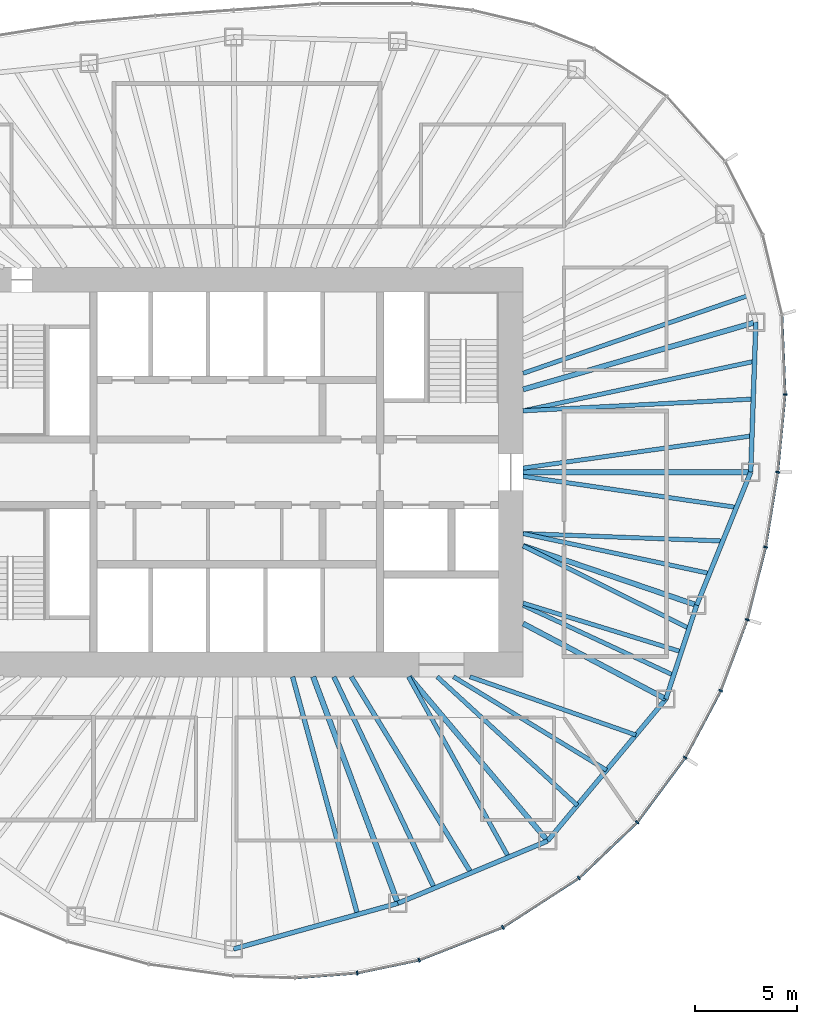
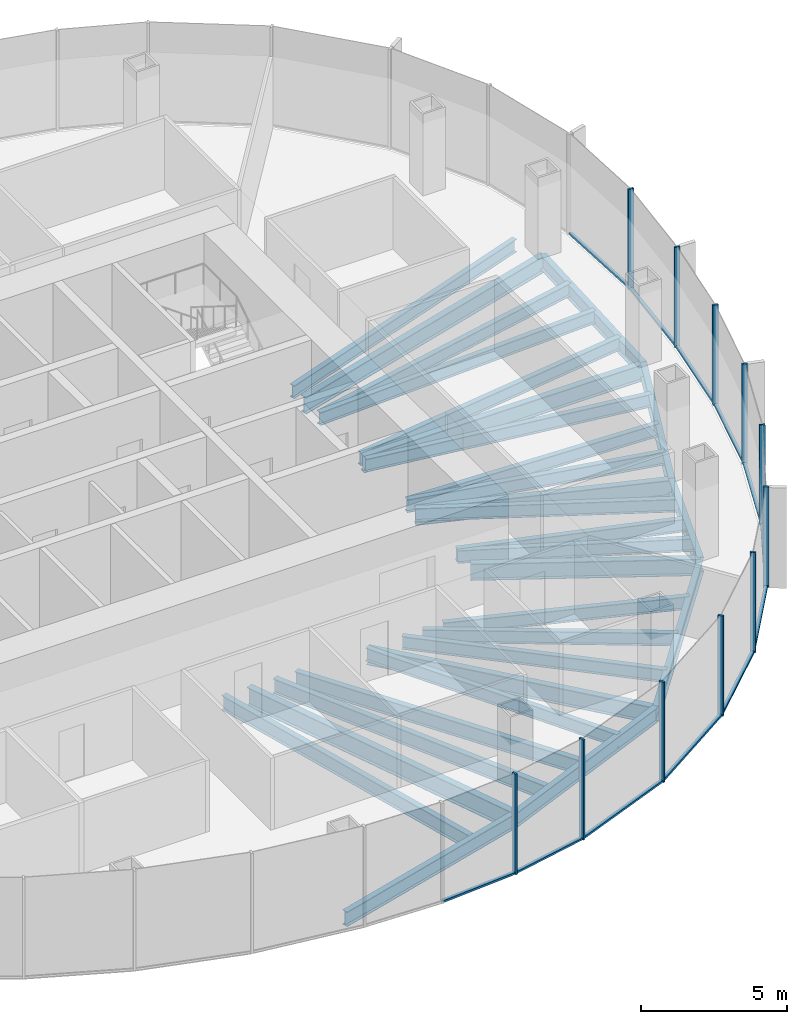
# One storey, part 4 of 11: 29 beams, 23 members, 6 elements without a shape of their own.
"""IFC4 building model written with IfcOpenShell, lengths in metres."""

from ifc_helpers import new_model, si_unit, direction, frame, origin, origin_2d, place, context, subcontext, project, spatial, rectangle, i_section, extrude, material, material_profile, profile_set, type_object, element, aggregate, save


model = new_model("IFC4")

# Units and contexts
model_context = context("Model", 3, precision=1e-05, world=origin(), true_north=direction((0.0, 1.0)))
body_context = subcontext(model_context, "Body", "Model", "MODEL_VIEW")
ifc_project = project(units=[si_unit("LENGTHUNIT", "METRE"), si_unit("AREAUNIT", "SQUARE_METRE"), si_unit("VOLUMEUNIT", "CUBIC_METRE"), si_unit("PLANEANGLEUNIT", "RADIAN"), si_unit("MASSUNIT", "GRAM", prefix="KILO")], contexts=[model_context])

# Site, building, storey
site_placement = place(None, origin())
site = spatial("IfcSite", under=ifc_project, at=site_placement, CompositionType="ELEMENT")
building_placement = place(site_placement, origin())
building = spatial("IfcBuilding", under=site, at=building_placement, Name="Ghaith Harvest Tower", CompositionType="ELEMENT")
storey_placement = place(building_placement, frame((0.0, 0.0, 262.0)))
storey = spatial("IfcBuildingStorey", under=building, at=storey_placement, Name="L58", CompositionType="ELEMENT", Elevation=262.0)

# Curtain wall, members
ifc_material_1 = material(Name="Black anodised aluminium and fritted glass", Category="aluminium")
curtain_wall_type = type_object("IfcCurtainWallType", Name="CW-H CURTAIN WALL", PredefinedType="NOTDEFINED", material=ifc_material_1)
curtain_wall_1_placement = place(storey_placement, origin())
curtain_wall_1 = element("IfcCurtainWall", 1, at=curtain_wall_1_placement, inside=storey, type_object=curtain_wall_type, Name="Curtain wall CW-H bay 01 L58", PredefinedType="NOTDEFINED")
ifc_material_2 = material(Name="Aluminium, black anodised", Category="aluminium")
ifc_material_profile_1 = material_profile(ifc_material_2, rectangle(XDim=0.080078125, YDim=0.199951171875, at=origin_2d()), Name="CW-H MULLION 80x200")
ifc_profile_set_1 = profile_set([ifc_material_profile_1], Name="Aluminium, black anodised")
member_type_1 = type_object("IfcMemberType", Name="CW-H MULLION 80x200", PredefinedType="MULLION", material=ifc_profile_set_1)
member_1_placement = place(storey_placement, frame((26.445068359375, 0.0, 0.0), z_axis=(0.0, 0.0, 1.0), x_axis=(0.126567624553, 0.991957981174, 0.0)))
member_1 = element("IfcMember", 2, at=member_1_placement, type_object=member_type_1, Name="CW-H mullion 1 bay 01 L58", PredefinedType="MULLION", context=body_context, shape_type="SweptSolid", body=[
    extrude(rectangle(XDim=0.080078125, YDim=0.199951171875, at=origin_2d()), origin(), (0.0, 0.0, 1.0), 4.199951171875),
])
member_2_placement = place(storey_placement, frame((26.804443359375, 3.7958984375, 0.0), z_axis=(0.0, 0.0, 1.0), x_axis=(0.026142797814, 0.999658218654, 0.0)))
member_2 = element("IfcMember", 3, at=member_2_placement, type_object=member_type_1, Name="CW-H mullion 2 bay 01 L58", PredefinedType="MULLION", context=body_context, shape_type="SweptSolid", body=[
    extrude(rectangle(XDim=0.080078125, YDim=0.199951171875, at=origin_2d()), origin(), (0.0, 0.0, 1.0), 4.199951171875),
])

# Curtain wall, member
curtain_wall_2_placement = place(storey_placement, origin())
curtain_wall_2 = element("IfcCurtainWall", 4, at=curtain_wall_2_placement, inside=storey, type_object=curtain_wall_type, Name="Curtain wall CW-H bay 16 L58", PredefinedType="NOTDEFINED")
member_3_placement = place(storey_placement, frame((5.893310546875, -24.48291015625, 0.0), z_axis=(0.0, 0.0, 1.0), x_axis=(0.989849191496, 0.142121701704, 0.0)))
member_3 = element("IfcMember", 5, at=member_3_placement, type_object=member_type_1, Name="CW-H mullion 3 bay 16 L58", PredefinedType="MULLION", context=body_context, shape_type="SweptSolid", body=[
    extrude(rectangle(XDim=0.080078125, YDim=0.199951171875, at=origin_2d()), origin(), (0.0, 0.0, 1.0), 4.199951171875),
])

# Curtain wall, members
curtain_wall_3_placement = place(storey_placement, origin())
curtain_wall_3 = element("IfcCurtainWall", 6, at=curtain_wall_3_placement, inside=storey, type_object=curtain_wall_type, Name="Curtain wall CW-H bay 17 L58", PredefinedType="NOTDEFINED")
member_4_placement = place(storey_placement, frame((8.916015625, -23.85009765625, 0.0), z_axis=(0.0, 0.0, 1.0), x_axis=(0.954029934434, 0.299711334793, 0.0)))
member_4 = element("IfcMember", 7, at=member_4_placement, type_object=member_type_1, Name="CW-H mullion 1 bay 17 L58", PredefinedType="MULLION", context=body_context, shape_type="SweptSolid", body=[
    extrude(rectangle(XDim=0.080078125, YDim=0.199951171875, at=origin_2d()), origin(), (0.0, 0.0, 1.0), 4.199951171875),
])
member_5_placement = place(storey_placement, frame((13.010009765625, -22.2470703125, 0.0), z_axis=(0.0, 0.0, 1.0), x_axis=(0.889568363425, 0.456802065225, 0.0)))
member_5 = element("IfcMember", 8, at=member_5_placement, type_object=member_type_1, Name="CW-H mullion 2 bay 17 L58", PredefinedType="MULLION", context=body_context, shape_type="SweptSolid", body=[
    extrude(rectangle(XDim=0.080078125, YDim=0.199951171875, at=origin_2d()), origin(), (0.0, 0.0, 1.0), 4.199951171875),
])

curtain_wall_4_placement = place(storey_placement, origin())
curtain_wall_4 = element("IfcCurtainWall", 9, at=curtain_wall_4_placement, inside=storey, type_object=curtain_wall_type, Name="Curtain wall CW-H bay 18 L58", PredefinedType="NOTDEFINED")
member_6_placement = place(storey_placement, frame((16.72900390625, -19.838134765625, 0.0), z_axis=(0.0, 0.0, 1.0), x_axis=(0.78784554071, 0.615872879727, 0.0)))
member_6 = element("IfcMember", 10, at=member_6_placement, type_object=member_type_1, Name="CW-H mullion 1 bay 18 L58", PredefinedType="MULLION", context=body_context, shape_type="SweptSolid", body=[
    extrude(rectangle(XDim=0.080078125, YDim=0.199951171875, at=origin_2d()), origin(), (0.0, 0.0, 1.0), 4.199951171875),
])
member_7_placement = place(storey_placement, frame((19.57421875, -17.11572265625, 0.0), z_axis=(0.0, 0.0, 1.0), x_axis=(0.661614965695, 0.749843741835, 0.0)))
member_7 = element("IfcMember", 11, at=member_7_placement, type_object=member_type_1, Name="CW-H mullion 2 bay 18 L58", PredefinedType="MULLION", context=body_context, shape_type="SweptSolid", body=[
    extrude(rectangle(XDim=0.080078125, YDim=0.199951171875, at=origin_2d()), origin(), (0.0, 0.0, 1.0), 4.199951171875),
])

curtain_wall_5_placement = place(storey_placement, origin())
curtain_wall_5 = element("IfcCurtainWall", 12, at=curtain_wall_5_placement, inside=storey, type_object=curtain_wall_type, Name="Curtain wall CW-H bay 19 L58", PredefinedType="NOTDEFINED")
member_8_placement = place(storey_placement, frame((21.922607421875, -13.951904296875, 0.0), z_axis=(0.0, 0.0, 1.0), x_axis=(0.535827198032, 0.844327669717, 0.0)))
member_8 = element("IfcMember", 13, at=member_8_placement, type_object=member_type_1, Name="CW-H mullion 1 bay 19 L58", PredefinedType="MULLION", context=body_context, shape_type="SweptSolid", body=[
    extrude(rectangle(XDim=0.080078125, YDim=0.199951171875, at=origin_2d()), origin(), (0.0, 0.0, 1.0), 4.199951171875),
])
member_9_placement = place(storey_placement, frame((23.658203125, -10.680419921875, 0.0), z_axis=(0.0, 0.0, 1.0), x_axis=(0.410429862351, 0.911892169114, 0.0)))
member_9 = element("IfcMember", 14, at=member_9_placement, type_object=member_type_1, Name="CW-H mullion 2 bay 19 L58", PredefinedType="MULLION", context=body_context, shape_type="SweptSolid", body=[
    extrude(rectangle(XDim=0.080078125, YDim=0.199951171875, at=origin_2d()), origin(), (0.0, 0.0, 1.0), 4.199951171875),
])

curtain_wall_6_placement = place(storey_placement, origin())
curtain_wall_6 = element("IfcCurtainWall", 15, at=curtain_wall_6_placement, inside=storey, type_object=curtain_wall_type, Name="Curtain wall CW-H bay 20 L58", PredefinedType="NOTDEFINED")
member_10_placement = place(storey_placement, frame((24.955810546875, -7.212890625, 0.0), z_axis=(0.0, 0.0, 1.0), x_axis=(0.298441625478, 0.954427889462, 0.0)))
member_10 = element("IfcMember", 16, at=member_10_placement, type_object=member_type_1, Name="CW-H mullion 1 bay 20 L58", PredefinedType="MULLION", context=body_context, shape_type="SweptSolid", body=[
    extrude(rectangle(XDim=0.080078125, YDim=0.199951171875, at=origin_2d()), origin(), (0.0, 0.0, 1.0), 4.199951171875),
])
member_11_placement = place(storey_placement, frame((25.85302734375, -3.6611328125, 0.0), z_axis=(0.0, 0.0, 1.0), x_axis=(0.202192370647, 0.979345825157, 0.0)))
member_11 = element("IfcMember", 17, at=member_11_placement, type_object=member_type_1, Name="CW-H mullion 2 bay 20 L58", PredefinedType="MULLION", context=body_context, shape_type="SweptSolid", body=[
    extrude(rectangle(XDim=0.080078125, YDim=0.199951171875, at=origin_2d()), origin(), (0.0, 0.0, 1.0), 4.199951171875),
])

# Member
ifc_material_3 = material(Name="Aluminium, black anodised", Category="aluminium")
ifc_material_profile_2 = material_profile(ifc_material_3, rectangle(XDim=0.1298828125, YDim=0.080078125, at=origin_2d()), Name="CW-H TRANSOM 130x80")
ifc_profile_set_2 = profile_set([ifc_material_profile_2], Name="Aluminium, black anodised")
member_type_2 = type_object("IfcMemberType", Name="CW-H TRANSOM 130x80", PredefinedType="USERDEFINED", material=ifc_profile_set_2)
member_12_placement = place(storey_placement, frame((26.44873046875, 0.039794921875, 0.0400390625), z_axis=(0.094309089207, 0.995542965267, 0.0), x_axis=(-0.995542965267, 0.094309089207, 0.0)))
member_12 = element("IfcMember", 18, at=member_12_placement, type_object=member_type_2, Name="CW-H transom 1 bay 01 L58", ObjectType="TRANSOM", PredefinedType="USERDEFINED", context=body_context, shape_type="SweptSolid", body=[
    extrude(rectangle(XDim=0.1298828125, YDim=0.080078125, at=origin_2d()), origin(), (0.0, 0.0, 1.0), 3.73291015625),
])

member_13_placement = place(storey_placement, frame((26.802978515625, 3.8359375, 0.0400390625), z_axis=(-0.040492641284, 0.999179836667, 0.0), x_axis=(-0.999179836667, -0.040492641284, 0.0)))
member_13 = element("IfcMember", 19, at=member_13_placement, type_object=member_type_2, Name="CW-H transom 2 bay 01 L58", ObjectType="TRANSOM", PredefinedType="USERDEFINED", context=body_context, shape_type="SweptSolid", body=[
    extrude(rectangle(XDim=0.1298828125, YDim=0.080078125, at=origin_2d()), origin(), (0.0, 0.0, 1.0), 3.82861328125),
])

aggregate(curtain_wall_1, [member_1, member_12, member_2, member_13])

member_14_placement = place(storey_placement, frame((2.8876953125, -24.71826171875, 0.0400390625), z_axis=(0.996949781933, 0.078045706505, 0.0), x_axis=(-0.078045706505, 0.996949781933, 0.0)))
member_14 = element("IfcMember", 20, at=member_14_placement, type_object=member_type_2, Name="CW-H transom 2 bay 16 L58", ObjectType="TRANSOM", PredefinedType="USERDEFINED", context=body_context, shape_type="SweptSolid", body=[
    extrude(rectangle(XDim=0.1298828125, YDim=0.080078125, at=origin_2d()), origin(), (0.0, 0.0, 1.0), 2.974853515625),
])

member_15_placement = place(storey_placement, frame((5.932373046875, -24.474609375, 0.0400390625), z_axis=(0.978797058213, 0.204832416461, 0.0), x_axis=(-0.204832416461, 0.978797058213, 0.0)))
member_15 = element("IfcMember", 21, at=member_15_placement, type_object=member_type_2, Name="CW-H transom 3 bay 16 L58", ObjectType="TRANSOM", PredefinedType="USERDEFINED", context=body_context, shape_type="SweptSolid", body=[
    extrude(rectangle(XDim=0.1298828125, YDim=0.080078125, at=origin_2d()), origin(), (0.0, 0.0, 1.0), 3.00830078125),
])

aggregate(curtain_wall_2, [member_14, member_3, member_15])

member_16_placement = place(storey_placement, frame((8.953369140625, -23.835693359375, 0.0400390625), z_axis=(0.931147615871, 0.364642451529, 0.0), x_axis=(-0.364642451529, 0.931147615871, 0.0)))
member_16 = element("IfcMember", 22, at=member_16_placement, type_object=member_type_2, Name="CW-H transom 1 bay 17 L58", ObjectType="TRANSOM", PredefinedType="USERDEFINED", context=body_context, shape_type="SweptSolid", body=[
    extrude(rectangle(XDim=0.1298828125, YDim=0.080078125, at=origin_2d()), origin(), (0.0, 0.0, 1.0), 4.31640625),
])

member_17_placement = place(storey_placement, frame((13.04345703125, -22.225341796875, 0.0400390625), z_axis=(0.839306610985, 0.543658360331, 0.0), x_axis=(-0.543658360331, 0.839306610985, 0.0)))
member_17 = element("IfcMember", 23, at=member_17_placement, type_object=member_type_2, Name="CW-H transom 2 bay 17 L58", ObjectType="TRANSOM", PredefinedType="USERDEFINED", context=body_context, shape_type="SweptSolid", body=[
    extrude(rectangle(XDim=0.1298828125, YDim=0.080078125, at=origin_2d()), origin(), (0.0, 0.0, 1.0), 4.35107421875),
])

aggregate(curtain_wall_3, [member_4, member_16, member_5, member_17])

member_18_placement = place(storey_placement, frame((16.7578125, -19.810546875, 0.0400390625), z_axis=(0.722533278657, 0.691336141998, 0.0), x_axis=(-0.691336141998, 0.722533278657, 0.0)))
member_18 = element("IfcMember", 24, at=member_18_placement, type_object=member_type_2, Name="CW-H transom 1 bay 18 L58", ObjectType="TRANSOM", PredefinedType="USERDEFINED", context=body_context, shape_type="SweptSolid", body=[
    extrude(rectangle(XDim=0.1298828125, YDim=0.080078125, at=origin_2d()), origin(), (0.0, 0.0, 1.0), 3.858154296875),
])

member_19_placement = place(storey_placement, frame((19.59814453125, -17.083740234375, 0.0400390625), z_axis=(0.595995597074, 0.802987701194, 0.0), x_axis=(-0.802987701194, 0.595995597074, 0.0)))
member_19 = element("IfcMember", 25, at=member_19_placement, type_object=member_type_2, Name="CW-H transom 2 bay 18 L58", ObjectType="TRANSOM", PredefinedType="USERDEFINED", context=body_context, shape_type="SweptSolid", body=[
    extrude(rectangle(XDim=0.1298828125, YDim=0.080078125, at=origin_2d()), origin(), (0.0, 0.0, 1.0), 3.8603515625),
])

aggregate(curtain_wall_4, [member_6, member_18, member_7, member_19])

member_20_placement = place(storey_placement, frame((21.94140625, -13.91650390625, 0.0400390625), z_axis=(0.468646057757, 0.883386026915, 0.0), x_axis=(-0.883386026915, 0.468646057757, 0.0)))
member_20 = element("IfcMember", 26, at=member_20_placement, type_object=member_type_2, Name="CW-H transom 1 bay 19 L58", ObjectType="TRANSOM", PredefinedType="USERDEFINED", context=body_context, shape_type="SweptSolid", body=[
    extrude(rectangle(XDim=0.1298828125, YDim=0.080078125, at=origin_2d()), origin(), (0.0, 0.0, 1.0), 3.623291015625),
])

member_21_placement = place(storey_placement, frame((23.672119140625, -10.64306640625, 0.0400390625), z_axis=(0.350510368091, 0.936558851253, 0.0), x_axis=(-0.936558851253, 0.350510368091, 0.0)))
member_21 = element("IfcMember", 27, at=member_21_placement, type_object=member_type_2, Name="CW-H transom 2 bay 19 L58", ObjectType="TRANSOM", PredefinedType="USERDEFINED", context=body_context, shape_type="SweptSolid", body=[
    extrude(rectangle(XDim=0.1298828125, YDim=0.080078125, at=origin_2d()), origin(), (0.0, 0.0, 1.0), 3.62255859375),
])

aggregate(curtain_wall_5, [member_8, member_20, member_9, member_21])

member_22_placement = place(storey_placement, frame((24.965576171875, -7.174072265625, 0.0400390625), z_axis=(0.244939588347, 0.969538342749, 0.0), x_axis=(-0.969538342749, 0.244939588347, 0.0)))
member_22 = element("IfcMember", 28, at=member_22_placement, type_object=member_type_2, Name="CW-H transom 1 bay 20 L58", ObjectType="TRANSOM", PredefinedType="USERDEFINED", context=body_context, shape_type="SweptSolid", body=[
    extrude(rectangle(XDim=0.1298828125, YDim=0.080078125, at=origin_2d()), origin(), (0.0, 0.0, 1.0), 3.583251953125),
])

member_23_placement = place(storey_placement, frame((25.859375, -3.62158203125, 0.0400390625), z_axis=(0.159661845696, 0.987171765717, 0.0), x_axis=(-0.987171765717, 0.159661845696, 0.0)))
member_23 = element("IfcMember", 29, at=member_23_placement, type_object=member_type_2, Name="CW-H transom 2 bay 20 L58", ObjectType="TRANSOM", PredefinedType="USERDEFINED", context=body_context, shape_type="SweptSolid", body=[
    extrude(rectangle(XDim=0.1298828125, YDim=0.080078125, at=origin_2d()), origin(), (0.0, 0.0, 1.0), 3.628662109375),
])

aggregate(curtain_wall_6, [member_10, member_22, member_11, member_23])

# Beams
ifc_material_4 = material(Name="Steel ASTM A992 Grade 50", Category="steel")
ifc_material_profile_3 = material_profile(ifc_material_4, i_section(OverallWidth=0.22900390625, OverallDepth=0.612060546875, WebThickness=0.011962890625, FlangeThickness=0.01953125, at=origin_2d()), Name="W610X125")
ifc_profile_set_3 = profile_set([ifc_material_profile_3], Name="Steel ASTM A992 Grade 50")
beam_type_1 = type_object("IfcBeamType", Name="E610-125 W610X125", PredefinedType="SPANDREL", material=ifc_profile_set_3)
beam_1_placement = place(storey_placement, frame((25.125, 0.0, -0.47607421875), z_axis=(0.03446227584, 0.999405999354, 0.0), x_axis=(-0.999405999354, 0.03446227584, 0.0)))
element("IfcBeam", 30, at=beam_1_placement, inside=storey, type_object=beam_type_1, Name="Edge beam E01 L58", PredefinedType="SPANDREL", context=body_context, shape_type="SweptSolid", body=[
    extrude(i_section(OverallWidth=0.22900390625, OverallDepth=0.612060546875, WebThickness=0.011962890625, FlangeThickness=0.01953125, at=origin_2d()), origin(), (0.0, 0.0, 1.0), 7.33935546875),
])
beam_2_placement = place(storey_placement, frame((-0.158935546875, -23.304931640625, -0.47607421875), z_axis=(0.963504070594, 0.267693679323, 0.0), x_axis=(-0.267693679323, 0.963504070594, 0.0)))
element("IfcBeam", 31, at=beam_2_placement, inside=storey, type_object=beam_type_1, Name="Edge beam E16 L58", PredefinedType="SPANDREL", context=body_context, shape_type="SweptSolid", body=[
    extrude(i_section(OverallWidth=0.22900390625, OverallDepth=0.612060546875, WebThickness=0.011962890625, FlangeThickness=0.01953125, at=origin_2d()), origin(), (0.0, 0.0, 1.0), 8.34130859375),
])
beam_3_placement = place(storey_placement, frame((7.8779296875, -21.072021484375, -0.47607421875), z_axis=(0.923119729219, 0.384512633766, 0.0), x_axis=(-0.384512633766, 0.923119729219, 0.0)))
element("IfcBeam", 32, at=beam_3_placement, inside=storey, type_object=beam_type_1, Name="Edge beam E17 L58", PredefinedType="SPANDREL", context=body_context, shape_type="SweptSolid", body=[
    extrude(i_section(OverallWidth=0.22900390625, OverallDepth=0.612060546875, WebThickness=0.011962890625, FlangeThickness=0.01953125, at=origin_2d()), origin(), (0.0, 0.0, 1.0), 7.9296875),
])
beam_4_placement = place(storey_placement, frame((15.197998046875, -18.02294921875, -0.47607421875), z_axis=(0.640173759088, 0.76823014662, 0.0), x_axis=(-0.76823014662, 0.640173759088, 0.0)))
element("IfcBeam", 33, at=beam_4_placement, inside=storey, type_object=beam_type_1, Name="Edge beam E18 L58", PredefinedType="SPANDREL", context=body_context, shape_type="SweptSolid", body=[
    extrude(i_section(OverallWidth=0.22900390625, OverallDepth=0.612060546875, WebThickness=0.011962890625, FlangeThickness=0.01953125, at=origin_2d()), origin(), (0.0, 0.0, 1.0), 9.02734375),
])
beam_5_placement = place(storey_placement, frame((20.97705078125, -11.087890625, -0.47607421875), z_axis=(0.312206727278, 0.950014189074, 0.0), x_axis=(-0.950014189074, 0.312206727278, 0.0)))
element("IfcBeam", 34, at=beam_5_placement, inside=storey, type_object=beam_type_1, Name="Edge beam E19 L58", PredefinedType="SPANDREL", context=body_context, shape_type="SweptSolid", body=[
    extrude(i_section(OverallWidth=0.22900390625, OverallDepth=0.612060546875, WebThickness=0.011962890625, FlangeThickness=0.01953125, at=origin_2d()), origin(), (0.0, 0.0, 1.0), 4.830322265625),
])
beam_6_placement = place(storey_placement, frame((22.485107421875, -6.4990234375, -0.47607421875), z_axis=(0.376335970246, 0.926483263475, 0.0), x_axis=(-0.926483263475, 0.376335970246, 0.0)))
element("IfcBeam", 35, at=beam_6_placement, inside=storey, type_object=beam_type_1, Name="Edge beam E20 L58", PredefinedType="SPANDREL", context=body_context, shape_type="SweptSolid", body=[
    extrude(i_section(OverallWidth=0.22900390625, OverallDepth=0.612060546875, WebThickness=0.011962890625, FlangeThickness=0.01953125, at=origin_2d()), origin(), (0.0, 0.0, 1.0), 7.0146484375),
])
ifc_material_5 = material(Name="Steel ASTM A992 Grade 50", Category="steel")
ifc_material_profile_4 = material_profile(ifc_material_5, i_section(OverallWidth=0.256103515625, OverallDepth=0.693115234375, WebThickness=0.014404296875, FlangeThickness=0.023681640625, at=origin_2d()), Name="W690X170")
ifc_profile_set_4 = profile_set([ifc_material_profile_4], Name="Steel ASTM A992 Grade 50")
beam_type_2 = type_object("IfcBeamType", Name="G690-170 W690X170", PredefinedType="BEAM", material=ifc_profile_set_4)
beam_7_placement = place(storey_placement, frame((14.0, 0.0, -0.5166015625), z_axis=(1.0, 0.0, 0.0), x_axis=(0.0, 1.0, 0.0)))
element("IfcBeam", 36, at=beam_7_placement, inside=storey, type_object=beam_type_2, Name="Radial girder G01 L58", PredefinedType="BEAM", context=body_context, shape_type="SweptSolid", body=[
    extrude(i_section(OverallWidth=0.256103515625, OverallDepth=0.693115234375, WebThickness=0.014404296875, FlangeThickness=0.023681640625, at=origin_2d()), origin(), (0.0, 0.0, 1.0), 11.125),
])
beam_8_placement = place(storey_placement, frame((14.0, 4.04638671875, -0.5166015625), z_axis=(0.960677776578, 0.277665643518, 0.0), x_axis=(-0.277665643518, 0.960677776578, 0.0)))
element("IfcBeam", 37, at=beam_8_placement, inside=storey, type_object=beam_type_2, Name="Radial girder G02 L58", PredefinedType="BEAM", context=body_context, shape_type="SweptSolid", body=[
    extrude(i_section(OverallWidth=0.256103515625, OverallDepth=0.693115234375, WebThickness=0.014404296875, FlangeThickness=0.023681640625, at=origin_2d()), origin(), (0.0, 0.0, 1.0), 11.84375),
])
beam_9_placement = place(storey_placement, frame((8.4326171875, -10.0, -0.5166015625), z_axis=(0.644649240595, -0.764478486682, 0.0), x_axis=(0.764478486682, 0.644649240595, 0.0)))
element("IfcBeam", 38, at=beam_9_placement, inside=storey, type_object=beam_type_2, Name="Radial girder G18 L58", PredefinedType="BEAM", context=body_context, shape_type="SweptSolid", body=[
    extrude(i_section(OverallWidth=0.256103515625, OverallDepth=0.693115234375, WebThickness=0.014404296875, FlangeThickness=0.023681640625, at=origin_2d()), origin(), (0.0, 0.0, 1.0), 10.49462890625),
])
beam_10_placement = place(storey_placement, frame((14.0, -7.39990234375, -0.5166015625), z_axis=(0.884088732293, -0.467319070264, 0.0), x_axis=(0.467319070264, 0.884088732293, 0.0)))
element("IfcBeam", 39, at=beam_10_placement, inside=storey, type_object=beam_type_2, Name="Radial girder G19 L58", PredefinedType="BEAM", context=body_context, shape_type="SweptSolid", body=[
    extrude(i_section(OverallWidth=0.256103515625, OverallDepth=0.693115234375, WebThickness=0.014404296875, FlangeThickness=0.023681640625, at=origin_2d()), origin(), (0.0, 0.0, 1.0), 7.891845703125),
])
beam_11_placement = place(storey_placement, frame((14.0, -3.60009765625, -0.5166015625), z_axis=(0.94629622913, -0.323300861018, 0.0), x_axis=(0.323300861018, 0.94629622913, 0.0)))
element("IfcBeam", 40, at=beam_11_placement, inside=storey, type_object=beam_type_2, Name="Radial girder G20 L58", PredefinedType="BEAM", context=body_context, shape_type="SweptSolid", body=[
    extrude(i_section(OverallWidth=0.256103515625, OverallDepth=0.693115234375, WebThickness=0.014404296875, FlangeThickness=0.023681640625, at=origin_2d()), origin(), (0.0, 0.0, 1.0), 8.966552734375),
])
ifc_material_6 = material(Name="Steel ASTM A992 Grade 50", Category="steel")
ifc_material_profile_5 = material_profile(ifc_material_6, i_section(OverallWidth=0.26806640625, OverallDepth=0.77001953125, WebThickness=0.015625, FlangeThickness=0.025390625, at=origin_2d()), Name="W760X196")
ifc_profile_set_5 = profile_set([ifc_material_profile_5], Name="Steel ASTM A992 Grade 50")
beam_type_3 = type_object("IfcBeamType", Name="G760-196 W760X196", PredefinedType="BEAM", material=ifc_profile_set_5)
beam_12_placement = place(storey_placement, frame((3.73828125, -10.0, -0.554931640625), z_axis=(0.350206582147, -0.936672488024, 0.0), x_axis=(0.936672488024, 0.350206582147, 0.0)))
element("IfcBeam", 41, at=beam_12_placement, inside=storey, type_object=beam_type_3, Name="Radial girder G17 L58", PredefinedType="BEAM", context=body_context, shape_type="SweptSolid", body=[
    extrude(i_section(OverallWidth=0.26806640625, OverallDepth=0.77001953125, WebThickness=0.015625, FlangeThickness=0.025390625, at=origin_2d()), origin(), (0.0, 0.0, 1.0), 11.820556640625),
])
ifc_material_7 = material(Name="Steel ASTM A992 Grade 50", Category="steel")
ifc_material_profile_6 = material_profile(ifc_material_7, i_section(OverallWidth=0.2109375, OverallDepth=0.5390625, WebThickness=0.01171875, FlangeThickness=0.018798828125, at=origin_2d()), Name="W530X109")
ifc_profile_set_6 = profile_set([ifc_material_profile_6], Name="Steel ASTM A992 Grade 50")
beam_type_4 = type_object("IfcBeamType", Name="J530-109 W530X109", PredefinedType="JOIST", material=ifc_profile_set_6)
beam_13_placement = place(storey_placement, frame((14.0, 0.199951171875, -0.439453125), z_axis=(0.990239574724, 0.139375696052, 0.0), x_axis=(-0.139375696052, 0.990239574724, 0.0)))
element("IfcBeam", 42, at=beam_13_placement, inside=storey, type_object=beam_type_4, Name="Joist J01.1 L58", PredefinedType="JOIST", context=body_context, shape_type="SweptSolid", body=[
    extrude(i_section(OverallWidth=0.2109375, OverallDepth=0.5390625, WebThickness=0.01171875, FlangeThickness=0.018798828125, at=origin_2d()), origin(), (0.0, 0.0, 1.0), 11.296630859375),
])
beam_14_placement = place(storey_placement, frame((14.0, 3.0, -0.439453125), z_axis=(0.998693995267, 0.051091132482, 0.0), x_axis=(-0.051091132482, 0.998693995267, 0.0)))
element("IfcBeam", 43, at=beam_14_placement, inside=storey, type_object=beam_type_4, Name="Joist J01.2 L58", PredefinedType="JOIST", context=body_context, shape_type="SweptSolid", body=[
    extrude(i_section(OverallWidth=0.2109375, OverallDepth=0.5390625, WebThickness=0.01171875, FlangeThickness=0.018798828125, at=origin_2d()), origin(), (0.0, 0.0, 1.0), 11.262939453125),
])
beam_15_placement = place(storey_placement, frame((14.0, 3.0, -0.439453125), z_axis=(0.977840076912, 0.209353251672, 0.0), x_axis=(-0.209353251672, 0.977840076912, 0.0)))
element("IfcBeam", 44, at=beam_15_placement, inside=storey, type_object=beam_type_4, Name="Joist J01.3 L58", PredefinedType="JOIST", context=body_context, shape_type="SweptSolid", body=[
    extrude(i_section(OverallWidth=0.2109375, OverallDepth=0.5390625, WebThickness=0.01171875, FlangeThickness=0.018798828125, at=origin_2d()), origin(), (0.0, 0.0, 1.0), 11.568359375),
])
beam_16_placement = place(storey_placement, frame((14.0, 4.835693359375, -0.439453125), z_axis=(0.945202328042, 0.326485159025, 0.0), x_axis=(-0.326485159025, 0.945202328042, 0.0)))
element("IfcBeam", 45, at=beam_16_placement, inside=storey, type_object=beam_type_4, Name="Joist J02.1 L58", PredefinedType="JOIST", context=body_context, shape_type="SweptSolid", body=[
    extrude(i_section(OverallWidth=0.2109375, OverallDepth=0.5390625, WebThickness=0.01171875, FlangeThickness=0.018798828125, at=origin_2d()), origin(), (0.0, 0.0, 1.0), 11.63916015625),
])
beam_17_placement = place(storey_placement, frame((8.39990234375, -10.0, -0.439453125), z_axis=(0.484919107871, -0.874559008199, 0.0), x_axis=(0.874559008199, 0.484919107871, 0.0)))
element("IfcBeam", 46, at=beam_17_placement, inside=storey, type_object=beam_type_4, Name="Joist J17.3 L58", PredefinedType="JOIST", context=body_context, shape_type="SweptSolid", body=[
    extrude(i_section(OverallWidth=0.2109375, OverallDepth=0.5390625, WebThickness=0.01171875, FlangeThickness=0.018798828125, at=origin_2d()), origin(), (0.0, 0.0, 1.0), 10.0830078125),
])
beam_18_placement = place(storey_placement, frame((9.800048828125, -10.0, -0.439453125), z_axis=(0.736998187228, -0.675894719629, 0.0), x_axis=(0.675894719629, 0.736998187228, 0.0)))
element("IfcBeam", 47, at=beam_18_placement, inside=storey, type_object=beam_type_4, Name="Joist J18.1 L58", PredefinedType="JOIST", context=body_context, shape_type="SweptSolid", body=[
    extrude(i_section(OverallWidth=0.2109375, OverallDepth=0.5390625, WebThickness=0.01171875, FlangeThickness=0.018798828125, at=origin_2d()), origin(), (0.0, 0.0, 1.0), 9.293701171875),
])
beam_19_placement = place(storey_placement, frame((14.0, -3.0, -0.439453125), z_axis=(0.977841497168, -0.209346617877, 0.0), x_axis=(0.209346617877, 0.977841497168, 0.0)))
element("IfcBeam", 48, at=beam_19_placement, inside=storey, type_object=beam_type_4, Name="Joist J20.1 L58", PredefinedType="JOIST", context=body_context, shape_type="SweptSolid", body=[
    extrude(i_section(OverallWidth=0.2109375, OverallDepth=0.5390625, WebThickness=0.01171875, FlangeThickness=0.018798828125, at=origin_2d()), origin(), (0.0, 0.0, 1.0), 9.3203125),
])
beam_20_placement = place(storey_placement, frame((14.0, -3.0, -0.439453125), z_axis=(0.999303105315, -0.037326983644, 0.0), x_axis=(0.037326983644, 0.999303105315, 0.0)))
element("IfcBeam", 49, at=beam_20_placement, inside=storey, type_object=beam_type_4, Name="Joist J20.2 L58", PredefinedType="JOIST", context=body_context, shape_type="SweptSolid", body=[
    extrude(i_section(OverallWidth=0.2109375, OverallDepth=0.5390625, WebThickness=0.01171875, FlangeThickness=0.018798828125, at=origin_2d()), origin(), (0.0, 0.0, 1.0), 9.76513671875),
])
beam_21_placement = place(storey_placement, frame((14.0, -0.199951171875, -0.439453125), z_axis=(0.989525259022, -0.144359834294, 0.0), x_axis=(0.144359834294, 0.989525259022, 0.0)))
element("IfcBeam", 50, at=beam_21_placement, inside=storey, type_object=beam_type_4, Name="Joist J20.3 L58", PredefinedType="JOIST", context=body_context, shape_type="SweptSolid", body=[
    extrude(i_section(OverallWidth=0.2109375, OverallDepth=0.5390625, WebThickness=0.01171875, FlangeThickness=0.018798828125, at=origin_2d()), origin(), (0.0, 0.0, 1.0), 10.5361328125),
])
ifc_material_8 = material(Name="Steel ASTM A992 Grade 50", Category="steel")
ifc_material_profile_7 = material_profile(ifc_material_8, i_section(OverallWidth=0.208984375, OverallDepth=0.532958984375, WebThickness=0.01025390625, FlangeThickness=0.015625, at=origin_2d()), Name="W530X92")
ifc_profile_set_7 = profile_set([ifc_material_profile_7], Name="Steel ASTM A992 Grade 50")
beam_type_5 = type_object("IfcBeamType", Name="J530-92 W530X92", PredefinedType="JOIST", material=ifc_profile_set_7)
beam_22_placement = place(storey_placement, frame((10.60009765625, -10.0, -0.4365234375), z_axis=(0.853467052113, -0.521146803654, 0.0), x_axis=(0.521146803654, 0.853467052113, 0.0)))
element("IfcBeam", 51, at=beam_22_placement, inside=storey, type_object=beam_type_5, Name="Joist J18.2 L58", PredefinedType="JOIST", context=body_context, shape_type="SweptSolid", body=[
    extrude(i_section(OverallWidth=0.208984375, OverallDepth=0.532958984375, WebThickness=0.01025390625, FlangeThickness=0.015625, at=origin_2d()), origin(), (0.0, 0.0, 1.0), 8.76220703125),
])
beam_23_placement = place(storey_placement, frame((11.39990234375, -10.0, -0.4365234375), z_axis=(0.943605274188, -0.331072630285, 0.0), x_axis=(0.331072630285, 0.943605274188, 0.0)))
element("IfcBeam", 52, at=beam_23_placement, inside=storey, type_object=beam_type_5, Name="Joist J18.3 L58", PredefinedType="JOIST", context=body_context, shape_type="SweptSolid", body=[
    extrude(i_section(OverallWidth=0.208984375, OverallDepth=0.532958984375, WebThickness=0.01025390625, FlangeThickness=0.015625, at=origin_2d()), origin(), (0.0, 0.0, 1.0), 8.596923828125),
])
beam_24_placement = place(storey_placement, frame((14.0, -6.506103515625, -0.4365234375), z_axis=(0.906865270415, -0.421420670251, 0.0), x_axis=(0.421420670251, 0.906865270415, 0.0)))
element("IfcBeam", 53, at=beam_24_placement, inside=storey, type_object=beam_type_5, Name="Joist J19.1 L58", PredefinedType="JOIST", context=body_context, shape_type="SweptSolid", body=[
    extrude(i_section(OverallWidth=0.208984375, OverallDepth=0.532958984375, WebThickness=0.01025390625, FlangeThickness=0.015625, at=origin_2d()), origin(), (0.0, 0.0, 1.0), 8.11474609375),
])
beam_25_placement = place(storey_placement, frame((14.0, -6.39990234375, -0.4365234375), z_axis=(0.955870927609, -0.293786946192, 0.0), x_axis=(0.293786946192, 0.955870927609, 0.0)))
element("IfcBeam", 54, at=beam_25_placement, inside=storey, type_object=beam_type_5, Name="Joist J19.2 L58", PredefinedType="JOIST", context=body_context, shape_type="SweptSolid", body=[
    extrude(i_section(OverallWidth=0.208984375, OverallDepth=0.532958984375, WebThickness=0.01025390625, FlangeThickness=0.015625, at=origin_2d()), origin(), (0.0, 0.0, 1.0), 8.09326171875),
])
beam_26_placement = place(storey_placement, frame((14.0, -3.60009765625, -0.4365234375), z_axis=(0.89523949078, -0.445585293909, 0.0), x_axis=(0.445585293909, 0.89523949078, 0.0)))
element("IfcBeam", 55, at=beam_26_placement, inside=storey, type_object=beam_type_5, Name="Joist J19.3 L58", PredefinedType="JOIST", context=body_context, shape_type="SweptSolid", body=[
    extrude(i_section(OverallWidth=0.208984375, OverallDepth=0.532958984375, WebThickness=0.01025390625, FlangeThickness=0.015625, at=origin_2d()), origin(), (0.0, 0.0, 1.0), 9.060302734375),
])
ifc_material_9 = material(Name="Steel ASTM A992 Grade 50", Category="steel")
ifc_material_profile_8 = material_profile(ifc_material_9, i_section(OverallWidth=0.22900390625, OverallDepth=0.612060546875, WebThickness=0.011962890625, FlangeThickness=0.01953125, at=origin_2d()), Name="W610X125")
ifc_profile_set_8 = profile_set([ifc_material_profile_8], Name="Steel ASTM A992 Grade 50")
beam_type_6 = type_object("IfcBeamType", Name="J610-125 W610X125", PredefinedType="JOIST", material=ifc_profile_set_8)
beam_27_placement = place(storey_placement, frame((2.73095703125, -10.0, -0.47607421875), z_axis=(0.263456947705, -0.964671154698, 0.0), x_axis=(0.964671154698, 0.263456947705, 0.0)))
element("IfcBeam", 56, at=beam_27_placement, inside=storey, type_object=beam_type_6, Name="Joist J16.3 L58", PredefinedType="JOIST", context=body_context, shape_type="SweptSolid", body=[
    extrude(i_section(OverallWidth=0.22900390625, OverallDepth=0.612060546875, WebThickness=0.011962890625, FlangeThickness=0.01953125, at=origin_2d()), origin(), (0.0, 0.0, 1.0), 12.0458984375),
])
beam_28_placement = place(storey_placement, frame((4.75, -10.0, -0.47607421875), z_axis=(0.429080762264, -0.90326612881, 0.0), x_axis=(0.90326612881, 0.429080762264, 0.0)))
element("IfcBeam", 57, at=beam_28_placement, inside=storey, type_object=beam_type_6, Name="Joist J17.1 L58", PredefinedType="JOIST", context=body_context, shape_type="SweptSolid", body=[
    extrude(i_section(OverallWidth=0.22900390625, OverallDepth=0.612060546875, WebThickness=0.011962890625, FlangeThickness=0.01953125, at=origin_2d()), origin(), (0.0, 0.0, 1.0), 11.437255859375),
])
beam_29_placement = place(storey_placement, frame((5.60009765625, -10.0, -0.47607421875), z_axis=(0.521165912119, -0.853455383746, 0.0), x_axis=(0.853455383746, 0.521165912119, 0.0)))
element("IfcBeam", 58, at=beam_29_placement, inside=storey, type_object=beam_type_6, Name="Joist J17.2 L58", PredefinedType="JOIST", context=body_context, shape_type="SweptSolid", body=[
    extrude(i_section(OverallWidth=0.22900390625, OverallDepth=0.612060546875, WebThickness=0.011962890625, FlangeThickness=0.01953125, at=origin_2d()), origin(), (0.0, 0.0, 1.0), 11.228759765625),
])

save(model, "model.ifc")
